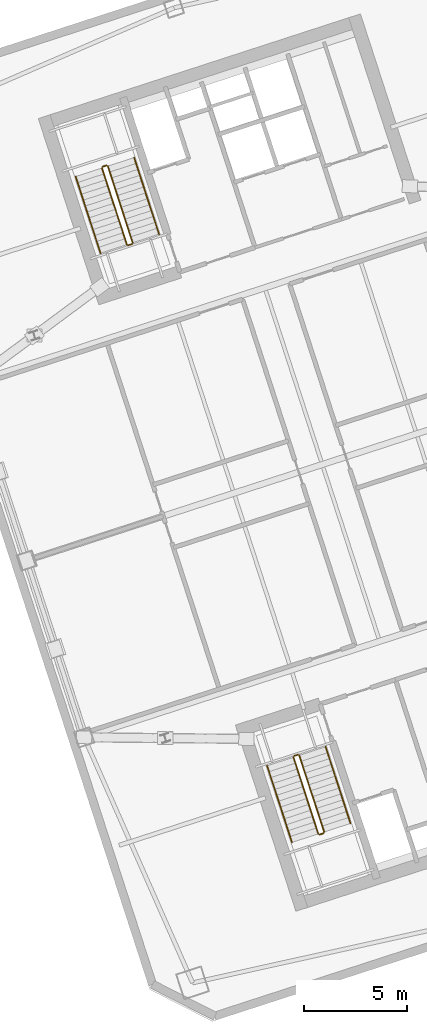
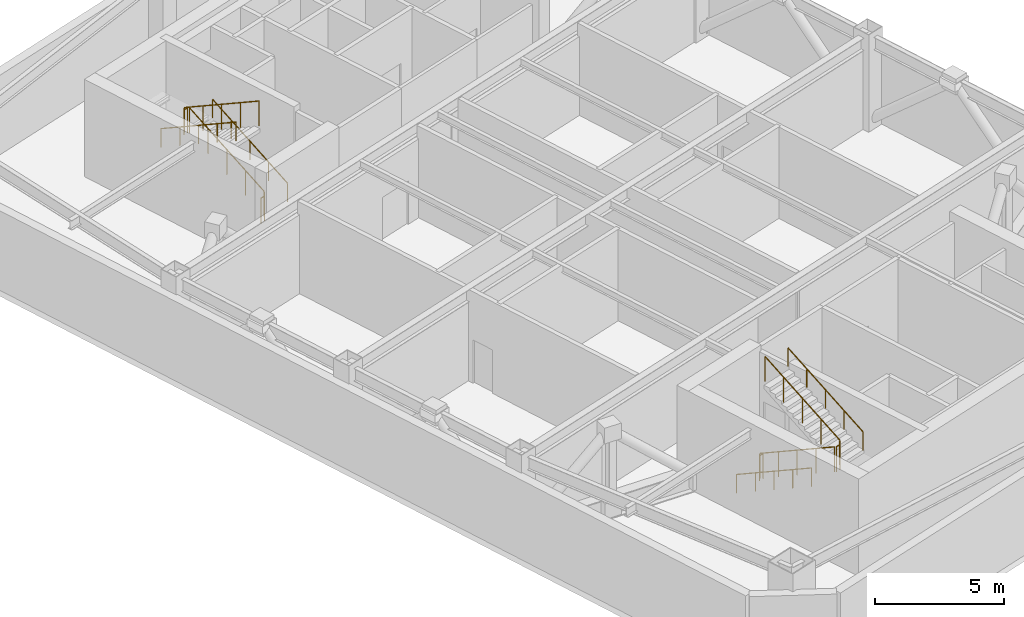
# One storey, part 17 of 17: 12 railings.
"""IFC4 building model written with IfcOpenShell, lengths in metres."""

import ifcopenshell
import ifcopenshell.guid

model = None  # the IFC model being written
_history = None  # IfcOwnerHistory: only IFC2X3 demands one
_inside = {}  # id of a spatial element -> (the spatial element, [elements in it])
_under = {}  # id of a project, library or spatial element -> (it, [spatial elements below it])
_declared = {}  # id of a project -> (the project, [libraries it declares])
_typed = {}  # id of a type object -> (the type object, [elements of that type])
_made_of = {}  # id of a material, layer set ... -> (it, [elements and type objects made of it])


def new_model(schema):
    """Start an empty IFC model of exactly this schema.

    Asked for "IFC4X3", IfcOpenShell would pick the latest addendum, in which some entities
    have other attributes; the version numbers below select the first issue.
    IFC2X3 requires an IfcOwnerHistory on every rooted entity: one is made here for all.
    """
    global model, _history
    if schema == "IFC4X3":
        model = ifcopenshell.file(schema_version=(4, 3, 0, 0))
    else:
        model = ifcopenshell.file(schema=schema)
    _inside.clear()
    _under.clear()
    _declared.clear()
    _typed.clear()
    _made_of.clear()
    _history = None
    if model.schema == "IFC2X3":
        org = make("IfcOrganization", Name="unknown")
        user = make(
            "IfcPersonAndOrganization",
            ThePerson=make("IfcPerson", FamilyName="unknown"),
            TheOrganization=org,
        )
        app = make(
            "IfcApplication",
            ApplicationDeveloper=org,
            Version="unknown",
            ApplicationFullName="unknown",
            ApplicationIdentifier="unknown",
        )
        _history = make(
            "IfcOwnerHistory",
            OwningUser=user,
            OwningApplication=app,
            ChangeAction="ADDED",
            CreationDate=0,
        )
    return model


def make(cls, **values):
    """One entity of the class cls with the attributes given. An attribute that is None is left unset."""
    return model.create_entity(
        cls, **{name: value for name, value in values.items() if value is not None}
    )


def rooted(cls, **values):
    """An entity with a GlobalId (a new one), such as an element, a storey or a relation."""
    return make(cls, GlobalId=ifcopenshell.guid.new(), OwnerHistory=_history, **values)


def si_unit(unit_type, name, prefix=None):
    """IfcSIUnit, for example si_unit("LENGTHUNIT", "METRE", prefix="MILLI")."""
    return make("IfcSIUnit", UnitType=unit_type, Prefix=prefix, Name=name)


def assignment(units):
    """IfcUnitAssignment: the units of a project."""
    return None if units is None else make("IfcUnitAssignment", Units=units)


def point(xyz):
    """IfcCartesianPoint."""
    return None if xyz is None else make("IfcCartesianPoint", Coordinates=xyz)


def direction(xyz):
    """IfcDirection."""
    return None if xyz is None else make("IfcDirection", DirectionRatios=xyz)


def frame(location, z_axis=None, x_axis=None):
    """IfcAxis2Placement3D, a coordinate frame: its origin and axes. An axis left out is left unset."""
    return make(
        "IfcAxis2Placement3D",
        Location=point(location),
        Axis=direction(z_axis),
        RefDirection=direction(x_axis),
    )


def frame_2d(location, x_axis=None):
    """IfcAxis2Placement2D, a coordinate frame in the plane: its origin and x axis."""
    return make(
        "IfcAxis2Placement2D", Location=point(location), RefDirection=direction(x_axis)
    )


def origin():
    """The frame at (0, 0, 0) with its axes left unset."""
    return frame((0.0, 0.0, 0.0))


def origin_2d():
    """The frame at (0, 0) in the plane with its x axis left unset."""
    return frame_2d((0.0, 0.0))


def place(relative_to, where):
    """IfcLocalPlacement: puts the frame where relative to a parent placement (None: the world)."""
    return make(
        "IfcLocalPlacement", PlacementRelTo=relative_to, RelativePlacement=where
    )


def context(
    kind, dimensions, precision=None, world=None, true_north=None, identifier=None
):
    """IfcGeometricRepresentationContext, for example the 3D "Model" context."""
    return make(
        "IfcGeometricRepresentationContext",
        ContextIdentifier=identifier,
        ContextType=kind,
        CoordinateSpaceDimension=dimensions,
        Precision=precision,
        WorldCoordinateSystem=world,
        TrueNorth=true_north,
    )


def subcontext(parent, identifier, kind, view, scale=None):
    """IfcGeometricRepresentationSubContext, for example "Body" below "Model"."""
    return make(
        "IfcGeometricRepresentationSubContext",
        ContextIdentifier=identifier,
        ContextType=kind,
        ParentContext=parent,
        TargetScale=scale,
        TargetView=view,
    )


def project(units=None, contexts=None):
    """IfcProject with its units and contexts."""
    return rooted(
        "IfcProject",
        Name="project",
        RepresentationContexts=contexts,
        UnitsInContext=assignment(units),
    )


def spatial(cls, under=None, at=None, **own):
    """A site, building, storey or space (cls), placed at a placement, below another one or the project."""
    s = rooted(cls, ObjectPlacement=at, **own)
    if under is not None:
        _under.setdefault(under.id(), (under, []))[1].append(s)
    return s


def profile(cls, at=None, kind="AREA", **sizes):
    """A parametric profile (cls). Its sizes go by their IFC names, for example OverallWidth=200.0."""
    return make(cls, ProfileType=kind, Position=at, **sizes)


def circle(**sizes):
    """IfcCircleProfileDef."""
    return profile("IfcCircleProfileDef", **sizes)


def extrude(swept, where, along, depth):
    """IfcExtrudedAreaSolid: the profile swept, set in the frame where, extruded along a direction by depth."""
    return make(
        "IfcExtrudedAreaSolid",
        SweptArea=swept,
        Position=where,
        ExtrudedDirection=direction(along),
        Depth=depth,
    )


def shape(context_of_items, identifier, shape_type, items):
    """IfcShapeRepresentation: the items that make up one representation, for example the "Body"."""
    return make(
        "IfcShapeRepresentation",
        ContextOfItems=context_of_items,
        RepresentationIdentifier=identifier,
        RepresentationType=shape_type,
        Items=items,
    )


def material(Name=None, Category=None):
    """IfcMaterial."""
    return make("IfcMaterial", Name=Name, Category=Category)


def made_of(thing, what):
    """Note that an element or type object is made of a material, layer set ...; save() writes the relation."""
    if what is not None:
        _made_of.setdefault(what.id(), (what, []))[1].append(thing)
    return thing


def type_object(cls, material=None, **own):
    """A type object (cls), such as IfcWallType, which elements share."""
    return made_of(rooted(cls, **own), material)


def element(
    cls,
    number,
    at=None,
    inside=None,
    cuts=None,
    type_object=None,
    material=None,
    context=None,
    identifier="Body",
    shape_type=None,
    held_by="IfcProductDefinitionShape",
    body=None,
    shapes=None,
    **own,
):
    """One element of the class cls, such as IfcWall. Its Tag is "e" and its number.

    at: its placement. inside: the storey or other place that contains it. cuts: it is an
    opening in that element (IfcRelVoidsElement). A single representation is given by context,
    identifier, shape_type and body (its items); several are given by shapes. held_by: the class
    of the entity that holds the representations. save() writes the other relations.
    """
    e = rooted(cls, Tag="e%d" % number, ObjectPlacement=at, **own)
    if body is not None:
        shapes = [shape(context, identifier, shape_type, body)]
    if shapes is not None:
        e.Representation = make(held_by, Representations=shapes)
    if inside is not None:
        _inside.setdefault(inside.id(), (inside, []))[1].append(e)
    if cuts is not None:
        rooted(
            "IfcRelVoidsElement", RelatingBuildingElement=cuts, RelatedOpeningElement=e
        )
    if type_object is not None:
        _typed.setdefault(type_object.id(), (type_object, []))[1].append(e)
    return made_of(e, material)


def aggregate(whole, parts):
    """IfcRelAggregates: a whole, such as a stair, and the parts it consists of."""
    return rooted("IfcRelAggregates", RelatingObject=whole, RelatedObjects=parts)


def save(model, path):
    """Write the relations noted so far, then the file.

    IfcRelAggregates (storeys below a building ...), IfcRelContainedInSpatialStructure (elements
    in a storey), IfcRelDefinesByType, IfcRelAssociatesMaterial and IfcRelDeclares: one each for
    every whole, place, type object, material and project.
    """
    for whole, parts in _under.values():
        aggregate(whole, parts)
    for where, things in _inside.values():
        rooted(
            "IfcRelContainedInSpatialStructure",
            RelatedElements=things,
            RelatingStructure=where,
        )
    for kind, things in _typed.values():
        rooted("IfcRelDefinesByType", RelatedObjects=things, RelatingType=kind)
    for what, things in _made_of.values():
        rooted("IfcRelAssociatesMaterial", RelatedObjects=things, RelatingMaterial=what)
    for by, libraries in _declared.values():
        rooted("IfcRelDeclares", RelatingContext=by, RelatedDefinitions=libraries)
    model.write(path)


model = new_model("IFC4")

# Units and contexts
model_context = context("Model", 3, precision=1e-05, world=origin(), true_north=direction((0.0, 1.0)))
body_context = subcontext(model_context, "Body", "Model", "MODEL_VIEW")
ifc_project = project(units=[si_unit("LENGTHUNIT", "METRE"), si_unit("AREAUNIT", "SQUARE_METRE"), si_unit("VOLUMEUNIT", "CUBIC_METRE"), si_unit("PLANEANGLEUNIT", "RADIAN"), si_unit("MASSUNIT", "GRAM", prefix="KILO")], contexts=[model_context])

# Site, building, storey
site_placement = place(None, origin())
site = spatial("IfcSite", under=ifc_project, at=site_placement, CompositionType="ELEMENT")
building_placement = place(site_placement, origin())
building = spatial("IfcBuilding", under=site, at=building_placement, Name="Qiaolan Cultural Towers", CompositionType="ELEMENT")
storey_placement = place(building_placement, frame((0.0, 0.0, 184.0)))
storey = spatial("IfcBuildingStorey", under=building, at=storey_placement, Name="L49", CompositionType="ELEMENT", Elevation=184.0)

# Railings
ifc_material_1 = material(Name="Galvanized Painted Steel Stair Guardrail", Category="steel")
railing_type_1 = type_object("IfcRailingType", Name="RL-STAIR-GRD", PredefinedType="GUARDRAIL", material=ifc_material_1)
railing_1_placement = place(storey_placement, frame((88.60205078125, 19.82421875, 0.164306640625)))
element("IfcRailing", 1, at=railing_1_placement, inside=storey, type_object=railing_type_1, Name="L49 ST-E1 stair guard 1", PredefinedType="GUARDRAIL", context=body_context, shape_type="SweptSolid", body=[
    extrude(circle(Radius=0.02392578125, at=origin_2d()), frame((0.0, 0.0, 1.17578125), z_axis=(0.271063841875, -0.834165069801, 0.480305142541), x_axis=(0.951047408346, 0.309045024354, 0.0)), (0.0, 0.0, 1.0), 4.446533203125),
    extrude(circle(Radius=0.02099609375, at=origin_2d()), origin(), (0.0, 0.0, 1.0), 1.15185546875),
    extrude(circle(Radius=0.02099609375, at=origin_2d()), frame((0.30126953125, -0.92724609375, 0.533935546875)), (0.0, 0.0, 1.0), 1.15185546875),
    extrude(circle(Radius=0.02099609375, at=origin_2d()), frame((0.6025390625, -1.8544921875, 1.06787109375)), (0.0, 0.0, 1.0), 1.15185546875),
    extrude(circle(Radius=0.02099609375, at=origin_2d()), frame((0.904052734375, -2.781982421875, 1.601806640625)), (0.0, 0.0, 1.0), 1.15185546875),
    extrude(circle(Radius=0.02099609375, at=origin_2d()), frame((1.205322265625, -3.709228515625, 2.1357421875)), (0.0, 0.0, 1.0), 1.15185546875),
])
railing_2_placement = place(storey_placement, frame((89.870361328125, 16.0830078125, 2.300048828125)))
element("IfcRailing", 2, at=railing_2_placement, inside=storey, type_object=railing_type_1, Name="L49 ST-E1 stair guard 2", PredefinedType="GUARDRAIL", context=body_context, shape_type="SweptSolid", body=[
    extrude(circle(Radius=0.02392578125, at=origin_2d()), frame((0.0, 0.0, 1.17578125), z_axis=(0.951096855055, 0.308892816854, 0.0), x_axis=(-0.308892816854, 0.951096855055, 0.0)), (0.0, 0.0, 1.0), 0.199951171875),
    extrude(circle(Radius=0.02099609375, at=origin_2d()), origin(), (0.0, 0.0, 1.0), 1.15185546875),
    extrude(circle(Radius=0.02099609375, at=origin_2d()), frame((0.190185546875, 0.061767578125, 0.0)), (0.0, 0.0, 1.0), 1.15185546875),
])
railing_3_placement = place(storey_placement, frame((90.092529296875, 16.207763671875, 2.46435546875)))
element("IfcRailing", 3, at=railing_3_placement, inside=storey, type_object=railing_type_1, Name="L49 ST-E1 stair guard 3", PredefinedType="GUARDRAIL", context=body_context, shape_type="SweptSolid", body=[
    extrude(circle(Radius=0.02392578125, at=origin_2d()), frame((0.0, 0.0, 1.17578125), z_axis=(-0.27101297032, 0.834177483402, 0.480312290186), x_axis=(-0.951065805522, -0.308988403611, 0.0)), (0.0, 0.0, 1.0), 4.446533203125),
    extrude(circle(Radius=0.02099609375, at=origin_2d()), origin(), (0.0, 0.0, 1.0), 1.15185546875),
    extrude(circle(Radius=0.02099609375, at=origin_2d()), frame((-0.30126953125, 0.92724609375, 0.533935546875)), (0.0, 0.0, 1.0), 1.15185546875),
    extrude(circle(Radius=0.02099609375, at=origin_2d()), frame((-0.6025390625, 1.8544921875, 1.06787109375)), (0.0, 0.0, 1.0), 1.15185546875),
    extrude(circle(Radius=0.02099609375, at=origin_2d()), frame((-0.90380859375, 2.781982421875, 1.601806640625)), (0.0, 0.0, 1.0), 1.15185546875),
    extrude(circle(Radius=0.02099609375, at=origin_2d()), frame((-1.205078125, 3.709228515625, 2.1357421875)), (0.0, 0.0, 1.0), 1.15185546875),
])
railing_4_placement = place(storey_placement, frame((88.63427734375, 19.88720703125, 0.0)))
element("IfcRailing", 4, at=railing_4_placement, inside=storey, type_object=railing_type_1, Name="L49 ST-E1 stair guard 4", PredefinedType="GUARDRAIL", context=body_context, shape_type="SweptSolid", body=[
    extrude(circle(Radius=0.02392578125, at=origin_2d()), frame((0.0, 0.0, 1.17578125), z_axis=(0.951096855055, 0.308892816854, 0.0), x_axis=(-0.308892816854, 0.951096855055, 0.0)), (0.0, 0.0, 1.0), 0.199951171875),
    extrude(circle(Radius=0.02099609375, at=origin_2d()), origin(), (0.0, 0.0, 1.0), 1.15185546875),
    extrude(circle(Radius=0.02099609375, at=origin_2d()), frame((0.190185546875, 0.061767578125, 0.0)), (0.0, 0.0, 1.0), 1.15185546875),
])
railing_5_placement = place(storey_placement, frame((80.822021484375, 44.739501953125, 0.164306640625)))
element("IfcRailing", 5, at=railing_5_placement, inside=storey, type_object=railing_type_1, Name="L49 ST-E2 stair guard 1", PredefinedType="GUARDRAIL", context=body_context, shape_type="SweptSolid", body=[
    extrude(circle(Radius=0.02392578125, at=origin_2d()), frame((0.0, 0.0, 1.17578125), z_axis=(-0.27101297032, 0.834177483402, 0.480312290186), x_axis=(-0.951065805522, -0.308988403611, 0.0)), (0.0, 0.0, 1.0), 4.446533203125),
    extrude(circle(Radius=0.02099609375, at=origin_2d()), origin(), (0.0, 0.0, 1.0), 1.15185546875),
    extrude(circle(Radius=0.02099609375, at=origin_2d()), frame((-0.30126953125, 0.92724609375, 0.533935546875)), (0.0, 0.0, 1.0), 1.15185546875),
    extrude(circle(Radius=0.02099609375, at=origin_2d()), frame((-0.6025390625, 1.8544921875, 1.06787109375)), (0.0, 0.0, 1.0), 1.15185546875),
    extrude(circle(Radius=0.02099609375, at=origin_2d()), frame((-0.90380859375, 2.781982421875, 1.601806640625)), (0.0, 0.0, 1.0), 1.15185546875),
    extrude(circle(Radius=0.02099609375, at=origin_2d()), frame((-1.205078125, 3.709228515625, 2.1357421875)), (0.0, 0.0, 1.0), 1.15185546875),
])
railing_6_placement = place(storey_placement, frame((79.553955078125, 48.480712890625, 2.300048828125)))
element("IfcRailing", 6, at=railing_6_placement, inside=storey, type_object=railing_type_1, Name="L49 ST-E2 stair guard 2", PredefinedType="GUARDRAIL", context=body_context, shape_type="SweptSolid", body=[
    extrude(circle(Radius=0.02392578125, at=origin_2d()), frame((0.0, 0.0, 1.17578125), z_axis=(-0.951096855055, -0.308892816854, 0.0), x_axis=(0.308892816854, -0.951096855055, 0.0)), (0.0, 0.0, 1.0), 0.199951171875),
    extrude(circle(Radius=0.02099609375, at=origin_2d()), origin(), (0.0, 0.0, 1.0), 1.15185546875),
    extrude(circle(Radius=0.02099609375, at=origin_2d()), frame((-0.190185546875, -0.061767578125, 0.0)), (0.0, 0.0, 1.0), 1.15185546875),
])
railing_7_placement = place(storey_placement, frame((79.33154296875, 48.35595703125, 2.46435546875)))
element("IfcRailing", 7, at=railing_7_placement, inside=storey, type_object=railing_type_1, Name="L49 ST-E2 stair guard 3", PredefinedType="GUARDRAIL", context=body_context, shape_type="SweptSolid", body=[
    extrude(circle(Radius=0.02392578125, at=origin_2d()), frame((0.0, 0.0, 1.17578125), z_axis=(0.271063841875, -0.834165069801, 0.480305142541), x_axis=(0.951047408346, 0.309045024354, 0.0)), (0.0, 0.0, 1.0), 4.446533203125),
    extrude(circle(Radius=0.02099609375, at=origin_2d()), origin(), (0.0, 0.0, 1.0), 1.15185546875),
    extrude(circle(Radius=0.02099609375, at=origin_2d()), frame((0.30126953125, -0.92724609375, 0.533935546875)), (0.0, 0.0, 1.0), 1.15185546875),
    extrude(circle(Radius=0.02099609375, at=origin_2d()), frame((0.6025390625, -1.8544921875, 1.06787109375)), (0.0, 0.0, 1.0), 1.15185546875),
    extrude(circle(Radius=0.02099609375, at=origin_2d()), frame((0.904052734375, -2.781982421875, 1.601806640625)), (0.0, 0.0, 1.0), 1.15185546875),
    extrude(circle(Radius=0.02099609375, at=origin_2d()), frame((1.205322265625, -3.709228515625, 2.1357421875)), (0.0, 0.0, 1.0), 1.15185546875),
])
railing_8_placement = place(storey_placement, frame((80.7900390625, 44.676513671875, 0.0)))
element("IfcRailing", 8, at=railing_8_placement, inside=storey, type_object=railing_type_1, Name="L49 ST-E2 stair guard 4", PredefinedType="GUARDRAIL", context=body_context, shape_type="SweptSolid", body=[
    extrude(circle(Radius=0.02392578125, at=origin_2d()), frame((0.0, 0.0, 1.17578125), z_axis=(-0.951096855055, -0.308892816854, 0.0), x_axis=(0.308892816854, -0.951096855055, 0.0)), (0.0, 0.0, 1.0), 0.199951171875),
    extrude(circle(Radius=0.02099609375, at=origin_2d()), origin(), (0.0, 0.0, 1.0), 1.15185546875),
    extrude(circle(Radius=0.02099609375, at=origin_2d()), frame((-0.190185546875, -0.061767578125, 0.0)), (0.0, 0.0, 1.0), 1.15185546875),
])
ifc_material_2 = material(Name="Stainless Steel S30408 Tubular Handrail", Category="steel")
railing_type_2 = type_object("IfcRailingType", Name="RL-STAIR-HR", PredefinedType="HANDRAIL", material=ifc_material_2)
railing_9_placement = place(storey_placement, frame((87.32763671875, 19.41015625, 0.164306640625)))
element("IfcRailing", 9, at=railing_9_placement, inside=storey, type_object=railing_type_2, Name="L49 ST-E1 stair handrail 1", PredefinedType="HANDRAIL", context=body_context, shape_type="SweptSolid", body=[
    extrude(circle(Radius=0.02392578125, at=origin_2d()), frame((0.0, 0.0, 0.8759765625), z_axis=(0.271063841875, -0.834165069801, 0.480305142541), x_axis=(0.951047408346, 0.309045024354, 0.0)), (0.0, 0.0, 1.0), 4.446533203125),
    extrude(circle(Radius=0.02099609375, at=origin_2d()), origin(), (0.0, 0.0, 1.0), 0.851806640625),
    extrude(circle(Radius=0.02099609375, at=origin_2d()), frame((0.30126953125, -0.92724609375, 0.533935546875)), (0.0, 0.0, 1.0), 0.851806640625),
    extrude(circle(Radius=0.02099609375, at=origin_2d()), frame((0.6025390625, -1.8544921875, 1.06787109375)), (0.0, 0.0, 1.0), 0.851806640625),
    extrude(circle(Radius=0.02099609375, at=origin_2d()), frame((0.904052734375, -2.781982421875, 1.601806640625)), (0.0, 0.0, 1.0), 0.851806640625),
    extrude(circle(Radius=0.02099609375, at=origin_2d()), frame((1.205322265625, -3.709228515625, 2.1357421875)), (0.0, 0.0, 1.0), 0.851806640625),
])
for number, where, name in (
    (10, (91.366943359375, 16.621826171875, 2.46435546875), "L49 ST-E1 stair handrail 2"),
    (11, (82.096435546875, 45.153564453125, 0.164306640625), "L49 ST-E2 stair handrail 1"),
):
    element("IfcRailing", number, at=place(storey_placement, frame(where)), inside=storey, type_object=railing_type_2, Name=name, PredefinedType="HANDRAIL", context=body_context, shape_type="SweptSolid", body=[
        extrude(circle(Radius=0.02392578125, at=origin_2d()), frame((0.0, 0.0, 0.8759765625), z_axis=(-0.27101297032, 0.834177483402, 0.480312290186), x_axis=(-0.951065805522, -0.308988403611, 0.0)), (0.0, 0.0, 1.0), 4.446533203125),
        extrude(circle(Radius=0.02099609375, at=origin_2d()), origin(), (0.0, 0.0, 1.0), 0.851806640625),
        extrude(circle(Radius=0.02099609375, at=origin_2d()), frame((-0.30126953125, 0.92724609375, 0.533935546875)), (0.0, 0.0, 1.0), 0.851806640625),
        extrude(circle(Radius=0.02099609375, at=origin_2d()), frame((-0.6025390625, 1.8544921875, 1.06787109375)), (0.0, 0.0, 1.0), 0.851806640625),
        extrude(circle(Radius=0.02099609375, at=origin_2d()), frame((-0.90380859375, 2.781982421875, 1.601806640625)), (0.0, 0.0, 1.0), 0.851806640625),
        extrude(circle(Radius=0.02099609375, at=origin_2d()), frame((-1.205078125, 3.709228515625, 2.1357421875)), (0.0, 0.0, 1.0), 0.851806640625),
    ])
railing_10_placement = place(storey_placement, frame((78.05712890625, 47.94189453125, 2.46435546875)))
element("IfcRailing", 12, at=railing_10_placement, inside=storey, type_object=railing_type_2, Name="L49 ST-E2 stair handrail 2", PredefinedType="HANDRAIL", context=body_context, shape_type="SweptSolid", body=[
    extrude(circle(Radius=0.02392578125, at=origin_2d()), frame((0.0, 0.0, 0.8759765625), z_axis=(0.271063841875, -0.834165069801, 0.480305142541), x_axis=(0.951047408346, 0.309045024354, 0.0)), (0.0, 0.0, 1.0), 4.446533203125),
    extrude(circle(Radius=0.02099609375, at=origin_2d()), origin(), (0.0, 0.0, 1.0), 0.851806640625),
    extrude(circle(Radius=0.02099609375, at=origin_2d()), frame((0.30126953125, -0.92724609375, 0.533935546875)), (0.0, 0.0, 1.0), 0.851806640625),
    extrude(circle(Radius=0.02099609375, at=origin_2d()), frame((0.6025390625, -1.8544921875, 1.06787109375)), (0.0, 0.0, 1.0), 0.851806640625),
    extrude(circle(Radius=0.02099609375, at=origin_2d()), frame((0.904052734375, -2.781982421875, 1.601806640625)), (0.0, 0.0, 1.0), 0.851806640625),
    extrude(circle(Radius=0.02099609375, at=origin_2d()), frame((1.205322265625, -3.709228515625, 2.1357421875)), (0.0, 0.0, 1.0), 0.851806640625),
])

save(model, "model.ifc")
